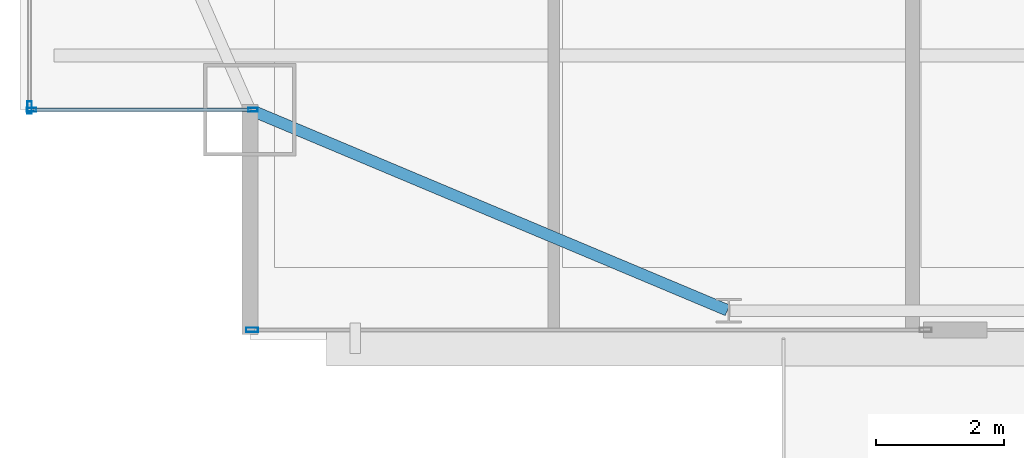
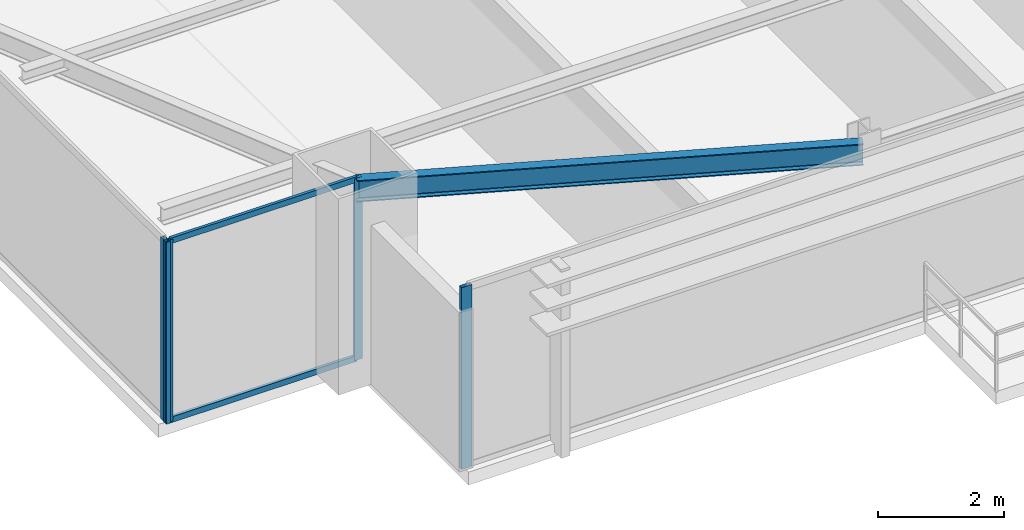
# One storey, part 3 of 31: 6 members, 1 beam, 3 elements without a shape of their own.
"""IFC4 building model written with IfcOpenShell, lengths in metres."""

from ifc_helpers import new_model, si_unit, direction, frame, origin, origin_2d, place, context, subcontext, project, spatial, hollow_rectangle, i_section, extrude, source, transform, mapped, material, layer, layer_set, material_profile, profile_set, type_object, type_shapes, element, aggregate, save


model = new_model("IFC4")

# Units and contexts
model_context = context("Model", 3, precision=1e-05, world=origin(), true_north=direction((0.0, 1.0)))
body_context = subcontext(model_context, "Body", "Model", "MODEL_VIEW")
ifc_project = project(units=[si_unit("LENGTHUNIT", "METRE"), si_unit("AREAUNIT", "SQUARE_METRE"), si_unit("VOLUMEUNIT", "CUBIC_METRE"), si_unit("PLANEANGLEUNIT", "RADIAN"), si_unit("MASSUNIT", "GRAM", prefix="KILO")], contexts=[model_context])

# Site, building, storey
site_placement = place(None, origin())
site = spatial("IfcSite", under=ifc_project, at=site_placement, CompositionType="ELEMENT")
building_placement = place(site_placement, origin())
building = spatial("IfcBuilding", under=site, at=building_placement, Name="Varnel Quay Broadcast Tower", CompositionType="ELEMENT")
storey_placement = place(building_placement, frame((0.0, 0.0, 94.60009765625)))
storey = spatial("IfcBuildingStorey", under=building, at=storey_placement, Name="L22", CompositionType="ELEMENT", Elevation=94.60009765625)

# Beam
ifc_material_1 = material(Name="Structural Steel CSA G40.21 350W", Category="steel")
ifc_material_profile_1 = material_profile(ifc_material_1, i_section(OverallWidth=0.180908203125, OverallDepth=0.4169921875, WebThickness=0.010986328125, FlangeThickness=0.018310546875, FilletRadius=0.011962890625, at=origin_2d()), Name="W410X85")
ifc_profile_set_1 = profile_set([ifc_material_profile_1], Name="Structural Steel CSA G40.21 350W")
beam_type = type_object("IfcBeamType", Name="Beam_W410X85", PredefinedType="SPANDREL", material=ifc_profile_set_1)
shared_shape_1 = source(origin(), body_context, "Body", "SweptSolid", [
    extrude(i_section(OverallWidth=0.180908203125, OverallDepth=0.4169921875, WebThickness=0.010986328125, FlangeThickness=0.018310546875, FilletRadius=0.011962890625, at=origin_2d()), origin(), (0.0, 0.0, 1.0), 8.0947265625),
])
type_shapes(beam_type, [shared_shape_1])
beam_placement = place(storey_placement, frame((8.118408203125, 7.792236328125, 3.3115234375), z_axis=(0.921981890247, -0.387232997117, 0.0), x_axis=(0.387232997117, 0.921981890247, 0.0)))
element("IfcBeam", 1, at=beam_placement, inside=storey, type_object=beam_type, Name="L22 South Spandrel MC-SW-TC-S1", PredefinedType="SPANDREL", context=body_context, shape_type="MappedRepresentation", body=[
    mapped(shared_shape_1, transform((0.0, 0.0, 0.0), x_axis=(1.0, 0.0, 0.0), y_axis=(0.0, 1.0, 0.0), z_axis=(0.0, 0.0, 1.0), scale=1.0)),
])

# Curtain wall, members
ifc_material_2 = material(Name="Anodised Bronze Aluminium 6063-T6", Category="aluminium")
ifc_layer_1 = layer(ifc_material_2, 0.18994140625, Name="Anodised Bronze Aluminium 6063-T6")
ifc_layer_set_1 = layer_set([ifc_layer_1], Name="Anodised Bronze Aluminium 6063-T6")
curtain_wall_type_1 = type_object("IfcCurtainWallType", Name="CW_NotchCorner", PredefinedType="NOTDEFINED", material=ifc_layer_set_1)
curtain_wall_1_placement = place(storey_placement, origin())
curtain_wall_1 = element("IfcCurtainWall", 2, at=curtain_wall_1_placement, inside=storey, type_object=curtain_wall_type_1, Name="L22 SW Notch Curtain Wall", PredefinedType="NOTDEFINED")
ifc_material_profile_2 = material_profile(ifc_material_2, hollow_rectangle(XDim=0.054931640625, YDim=0.110107421875, WallThickness=0.0029296875, at=origin_2d()), Name="ALU55X110X3")
ifc_profile_set_2 = profile_set([ifc_material_profile_2], Name="Anodised Bronze Aluminium 6063-T6")
member_type_1 = type_object("IfcMemberType", Name="Tran_CWS-04", PredefinedType="USERDEFINED", material=ifc_profile_set_2)
shared_shape_2 = source(origin(), body_context, "Body", "SweptSolid", [
    extrude(hollow_rectangle(XDim=0.054931640625, YDim=0.110107421875, WallThickness=0.0029296875, at=origin_2d()), origin(), (0.0, 0.0, 1.0), 3.41015625),
])
type_shapes(member_type_1, [shared_shape_2])
member_1_placement = place(storey_placement, frame((4.7099609375, 7.800048828125, 0.02734375), z_axis=(1.0, 0.0, 0.0), x_axis=(0.0, 1.0, 0.0)))
member_1 = element("IfcMember", 3, at=member_1_placement, type_object=member_type_1, Name="CWS-04 transom 1.1", ObjectType="TRANSOM", PredefinedType="USERDEFINED", context=body_context, shape_type="MappedRepresentation", body=[
    mapped(shared_shape_2, transform((0.0, 0.0, 0.0), x_axis=(1.0, 0.0, 0.0), y_axis=(0.0, 1.0, 0.0), z_axis=(0.0, 0.0, 1.0), scale=1.0)),
])
member_2_placement = place(storey_placement, frame((4.7099609375, 7.800048828125, 3.492431640625), z_axis=(1.0, 0.0, 0.0), x_axis=(0.0, 1.0, 0.0)))
member_2 = element("IfcMember", 4, at=member_2_placement, type_object=member_type_1, Name="CWS-04 transom 1.2", ObjectType="TRANSOM", PredefinedType="USERDEFINED", context=body_context, shape_type="MappedRepresentation", body=[
    mapped(shared_shape_2, transform((0.0, 0.0, 0.0), x_axis=(1.0, 0.0, 0.0), y_axis=(0.0, 1.0, 0.0), z_axis=(0.0, 0.0, 1.0), scale=1.0)),
])

# Curtain wall, member
ifc_layer_2 = layer(ifc_material_2, 0.18994140625, Name="Anodised Bronze Aluminium 6063-T6")
ifc_layer_set_2 = layer_set([ifc_layer_2], Name="Anodised Bronze Aluminium 6063-T6")
curtain_wall_type_2 = type_object("IfcCurtainWallType", Name="CW_LowerTower", PredefinedType="NOTDEFINED", material=ifc_layer_set_2)
curtain_wall_2_placement = place(storey_placement, origin())
curtain_wall_2 = element("IfcCurtainWall", 5, at=curtain_wall_2_placement, inside=storey, type_object=curtain_wall_type_2, Name="L22 South Unitised Curtain Wall 1", PredefinedType="NOTDEFINED")
ifc_material_profile_3 = material_profile(ifc_material_2, hollow_rectangle(XDim=0.070068359375, YDim=0.18994140625, WallThickness=0.00390625, at=origin_2d()), Name="ALU70X190X4")
ifc_profile_set_3 = profile_set([ifc_material_profile_3], Name="Anodised Bronze Aluminium 6063-T6")
member_type_2 = type_object("IfcMemberType", Name="Mull_CWS-02", PredefinedType="MULLION", material=ifc_profile_set_3)
shared_shape_3 = source(origin(), body_context, "Body", "SweptSolid", [
    extrude(hollow_rectangle(XDim=0.070068359375, YDim=0.18994140625, WallThickness=0.00390625, at=origin_2d()), origin(), (0.0, 0.0, 1.0), 3.52001953125),
])
type_shapes(member_type_2, [shared_shape_3])
member_3_placement = place(storey_placement, frame((8.135009765625, 4.35009765625, 0.0), z_axis=(0.0, 0.0, 1.0), x_axis=(0.0, 1.0, 0.0)))
member_3 = element("IfcMember", 6, at=member_3_placement, type_object=member_type_2, Name="CWS-02 mullion 1", PredefinedType="MULLION", context=body_context, shape_type="MappedRepresentation", body=[
    mapped(shared_shape_3, transform((0.0, 0.0, 0.0), x_axis=(1.0, 0.0, 0.0), y_axis=(0.0, 1.0, 0.0), z_axis=(0.0, 0.0, 1.0), scale=1.0)),
])
aggregate(curtain_wall_2, [member_3])

curtain_wall_3_placement = place(storey_placement, origin())
curtain_wall_3 = element("IfcCurtainWall", 7, at=curtain_wall_3_placement, inside=storey, type_object=curtain_wall_type_2, Name="L22 West Unitised Curtain Wall", PredefinedType="NOTDEFINED")
member_4_placement = place(storey_placement, frame((4.64990234375, 7.8349609375, 0.0), z_axis=(0.0, 0.0, 1.0), x_axis=(-1.0, 0.0, 0.0)))
member_4 = element("IfcMember", 8, at=member_4_placement, type_object=member_type_2, Name="CWS-02 mullion 1", PredefinedType="MULLION", context=body_context, shape_type="MappedRepresentation", body=[
    mapped(shared_shape_3, transform((0.0, 0.0, 0.0), x_axis=(1.0, 0.0, 0.0), y_axis=(0.0, 1.0, 0.0), z_axis=(0.0, 0.0, 1.0), scale=1.0)),
])
aggregate(curtain_wall_3, [member_4])

# Member
ifc_material_profile_4 = material_profile(ifc_material_2, hollow_rectangle(XDim=0.06005859375, YDim=0.14501953125, WallThickness=0.00341796875, at=origin_2d()), Name="ALU60X145X3.5")
ifc_profile_set_4 = profile_set([ifc_material_profile_4], Name="Anodised Bronze Aluminium 6063-T6")
member_type_3 = type_object("IfcMemberType", Name="Mull_CWS-04", PredefinedType="MULLION", material=ifc_profile_set_4)
shared_shape_4 = source(origin(), body_context, "Body", "SweptSolid", [
    extrude(hollow_rectangle(XDim=0.06005859375, YDim=0.14501953125, WallThickness=0.00341796875, at=origin_2d()), origin(), (0.0, 0.0, 1.0), 3.52001953125),
])
type_shapes(member_type_3, [shared_shape_4])
member_5_placement = place(storey_placement, frame((4.679931640625, 7.800048828125, 0.0), z_axis=(0.0, 0.0, 1.0), x_axis=(0.0, 1.0, 0.0)))
member_5 = element("IfcMember", 9, at=member_5_placement, type_object=member_type_3, Name="CWS-04 mullion 1", PredefinedType="MULLION", context=body_context, shape_type="MappedRepresentation", body=[
    mapped(shared_shape_4, transform((0.0, 0.0, 0.0), x_axis=(1.0, 0.0, 0.0), y_axis=(0.0, 1.0, 0.0), z_axis=(0.0, 0.0, 1.0), scale=1.0)),
])

member_6_placement = place(storey_placement, frame((8.14990234375, 7.800048828125, 0.0), z_axis=(0.0, 0.0, 1.0), x_axis=(0.0, 1.0, 0.0)))
member_6 = element("IfcMember", 10, at=member_6_placement, type_object=member_type_3, Name="CWS-04 mullion 2", PredefinedType="MULLION", context=body_context, shape_type="MappedRepresentation", body=[
    mapped(shared_shape_4, transform((0.0, 0.0, 0.0), x_axis=(1.0, 0.0, 0.0), y_axis=(0.0, 1.0, 0.0), z_axis=(0.0, 0.0, 1.0), scale=1.0)),
])

aggregate(curtain_wall_1, [member_5, member_6, member_1, member_2])

save(model, "model.ifc")
